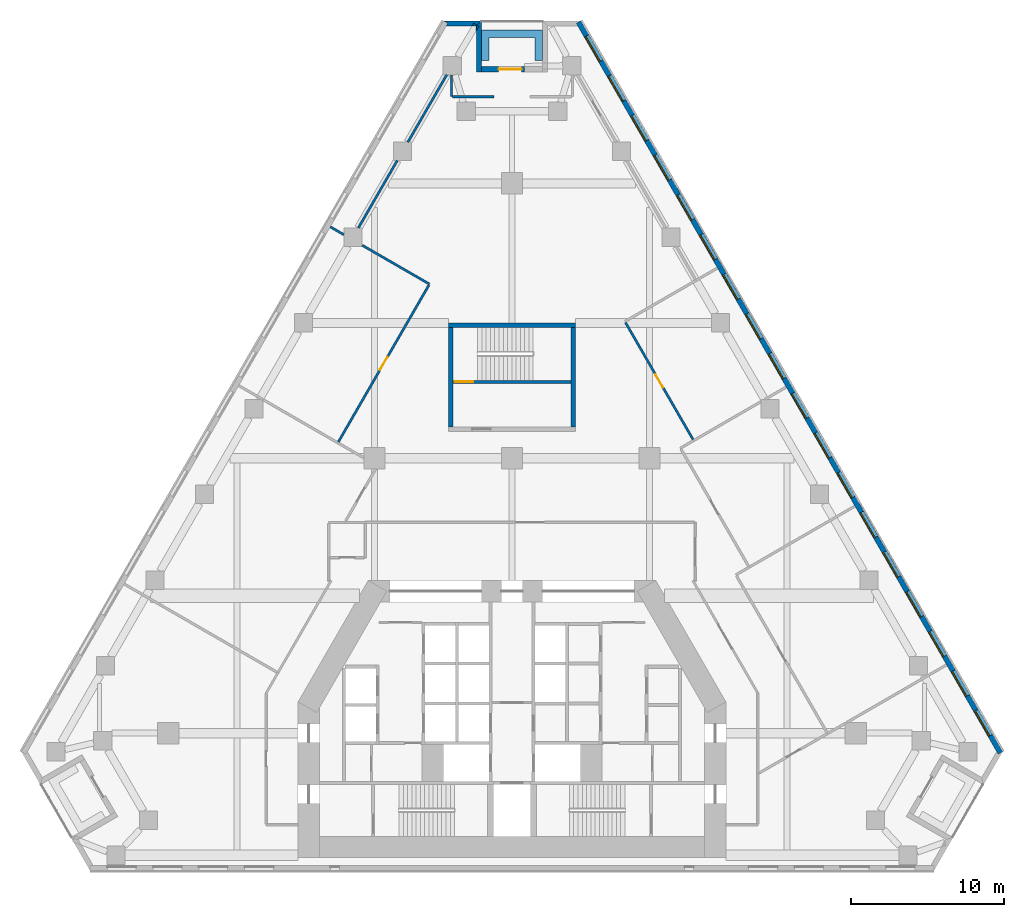
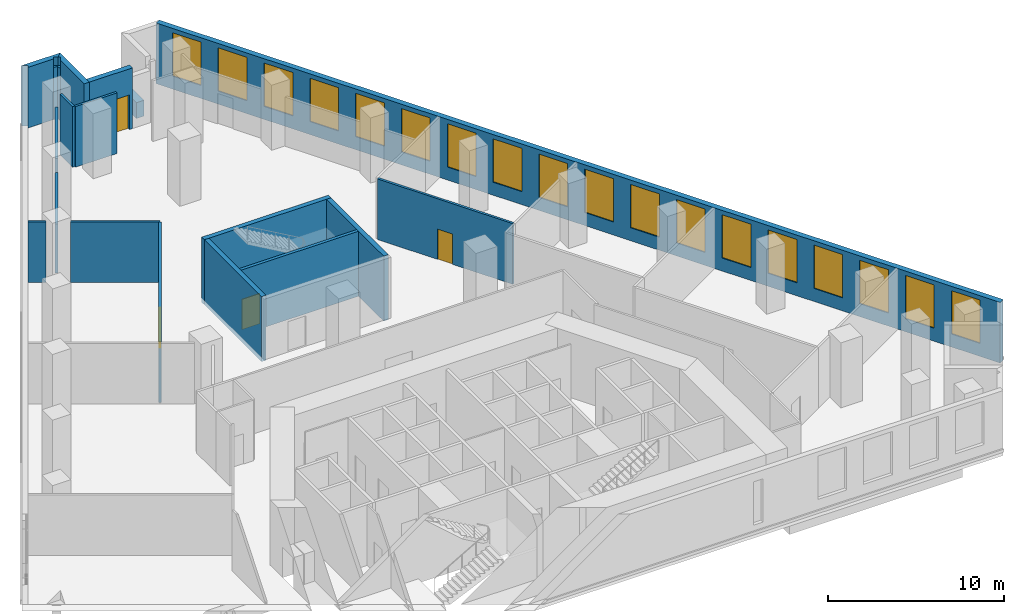
# One storey, part 8 of 10: 19 walls, 18 windows, 4 doors, 22 openings.
"""IFC4 building model written with IfcOpenShell, lengths in metres."""

from ifc_helpers import new_model, si_unit, direction, frame, frame_2d, origin, place, context, subcontext, project, spatial, polyline, rectangle, outline, extrude, material, layer, layer_set, type_object, element, fill, save


model = new_model("IFC4")

# Units and contexts
model_context = context("Model", 3, precision=1e-05, world=origin(), true_north=direction((0.0, 1.0)))
body_context = subcontext(model_context, "Body", "Model", "MODEL_VIEW")
ifc_project = project(units=[si_unit("LENGTHUNIT", "METRE"), si_unit("AREAUNIT", "SQUARE_METRE"), si_unit("VOLUMEUNIT", "CUBIC_METRE"), si_unit("PLANEANGLEUNIT", "RADIAN"), si_unit("MASSUNIT", "GRAM", prefix="KILO")], contexts=[model_context])

# Site, building, storey
site_placement = place(None, origin())
site = spatial("IfcSite", under=ifc_project, at=site_placement, CompositionType="ELEMENT")
building_placement = place(site_placement, origin())
building = spatial("IfcBuilding", under=site, at=building_placement, Name="Fogline Exchange Tower", CompositionType="ELEMENT")
storey_placement = place(building_placement, frame((0.0, 0.0, 38.5)))
storey = spatial("IfcBuildingStorey", under=building, at=storey_placement, Name="L07", CompositionType="ELEMENT", Elevation=38.5)

# Wall, opening, door
ifc_material_1 = material(Name="Concrete C40", Category="concrete")
ifc_layer_1 = layer(ifc_material_1, 0.199951171875)
ifc_layer_set_1 = layer_set([ifc_layer_1], Name="CW20R")
wall_type_1 = type_object("IfcWallType", Name="CW20R", PredefinedType="SOLIDWALL", material=ifc_layer_set_1)
wall_1_placement = place(storey_placement, frame((-3.85009765625, 32.007080078125, -0.300048828125), z_axis=(0.0, 0.0, 1.0), x_axis=(1.0, 0.0, 0.0)))
wall_1 = element("IfcWall", 1, at=wall_1_placement, inside=storey, type_object=wall_type_1, Name="Stair enclosure wall ST3", PredefinedType="SOLIDWALL", context=body_context, shape_type="SweptSolid", body=[
    extrude(rectangle(XDim=7.7001953125, YDim=0.199951171875, at=frame_2d((3.85009765625, 0.0))), origin(), (0.0, 0.0, 1.0), 4.5),
])
opening_1_placement = place(wall_1_placement, frame((0.10009765625, 0.0, 0.300048828125)))
opening_1 = element("IfcOpeningElement", 2, at=opening_1_placement, cuts=wall_1, Name="Opening T02-C024", PredefinedType="OPENING", context=body_context, shape_type="SweptSolid", body=[
    extrude(rectangle(XDim=1.199951171875, YDim=2.10009765625, at=frame_2d((0.60009765625, 1.050048828125))), frame((0.0, 0.10986328125, 0.0), z_axis=(0.0, -1.0, 0.0), x_axis=(1.0, 0.0, 0.0)), (0.0, 0.0, 1.0), 0.219970703125),
])
ifc_material_2 = material(Name="Steel and timber fire door", Category="steel")
door_type_1 = type_object("IfcDoorType", Name="D-ST1", OperationType="SINGLE_SWING_LEFT", PredefinedType="DOOR", material=ifc_material_2)
door_1_placement = place(opening_1_placement, origin())
door_1 = element("IfcDoor", 3, at=door_1_placement, inside=storey, type_object=door_type_1, Name="Stair door ST3", OperationType="SINGLE_SWING_LEFT", OverallHeight=2.10009765625, OverallWidth=1.199951171875, PredefinedType="DOOR", context=body_context, shape_type="SweptSolid", body=[
    extrude(rectangle(XDim=1.199951171875, YDim=2.10009765625, at=frame_2d((0.60009765625, 1.050048828125))), frame((0.0, 0.02490234375, 0.0), z_axis=(0.0, -1.0, 0.0), x_axis=(1.0, 0.0, 0.0)), (0.0, 0.0, 1.0), 0.050048828125),
])
fill(opening_1, door_1)

# Walls
ifc_layer_2 = layer(ifc_material_1, 0.300048828125)
ifc_layer_set_2 = layer_set([ifc_layer_2], Name="CW30")
wall_type_2 = type_object("IfcWallType", Name="CW30", PredefinedType="SOLIDWALL", material=ifc_layer_set_2)
wall_2_placement = place(storey_placement, frame((-4.14990234375, 35.70703125, -0.300048828125), z_axis=(0.0, 0.0, 1.0), x_axis=(1.0, 0.0, 0.0)))
element("IfcWall", 4, at=wall_2_placement, inside=storey, type_object=wall_type_2, Name="Stair enclosure wall ST3", PredefinedType="SOLIDWALL", context=body_context, shape_type="SweptSolid", body=[
    extrude(rectangle(XDim=8.2998046875, YDim=0.300048828125, at=frame_2d((4.14990234375, 0.0))), origin(), (0.0, 0.0, 1.0), 4.5),
])
for number, where, z_axis, x_axis, name in (
    (5, (-4.0, 29.056884765625, -0.300048828125), (0.0, 0.0, 1.0), (0.0, 1.0, 0.0), "Stair enclosure wall ST3"),
    (6, (4.0, 29.056884765625, -0.300048828125), (0.0, 0.0, 1.0), (0.0, 1.0, 0.0), "Stair enclosure wall ST3"),
):
    element("IfcWall", number, at=place(storey_placement, frame(where, z_axis=z_axis, x_axis=x_axis)), inside=storey, type_object=wall_type_2, Name=name, PredefinedType="SOLIDWALL", context=body_context, shape_type="SweptSolid", body=[
        extrude(rectangle(XDim=6.5, YDim=0.300048828125, at=frame_2d((3.25, 0.0))), origin(), (0.0, 0.0, 1.0), 4.5),
    ])

# Wall, openings, windows
ifc_material_3 = material(Name="Brick masonry", Category="masonry")
ifc_layer_3 = layer(ifc_material_3, 0.340087890625)
ifc_layer_set_3 = layer_set([ifc_layer_3], Name="FW1")
wall_type_3 = type_object("IfcWallType", Name="FW1", PredefinedType="SOLIDWALL", material=ifc_layer_set_3)
wall_3_placement = place(storey_placement, frame((31.98046875, 7.709228515625, 0.0), z_axis=(0.0, 0.0, 1.0), x_axis=(-0.500000125387, 0.866025331392, 0.0)))
wall_3 = element("IfcWall", 7, at=wall_3_placement, inside=storey, type_object=wall_type_3, Name="Brick wall L07 E", PredefinedType="SOLIDWALL", context=body_context, shape_type="SweptSolid", body=[
    extrude(rectangle(XDim=55.25537109375, YDim=0.340087890625, at=frame_2d((27.627685546875, 0.0))), origin(), (0.0, 0.0, 1.0), 4.199951171875),
])
opening_2_placement = place(wall_3_placement, frame((1.313720703125, 0.0, 0.89990234375)))
opening_2 = element("IfcOpeningElement", 8, at=opening_2_placement, cuts=wall_3, Name="Opening W2", PredefinedType="OPENING", context=body_context, shape_type="SweptSolid", body=[
    extrude(rectangle(XDim=1.885009765625, YDim=3.0, at=frame_2d((0.9423828125, 1.5))), frame((0.0, 0.18017578125, 0.0), z_axis=(0.0, -1.0, 0.0), x_axis=(1.0, 0.0, 0.0)), (0.0, 0.0, 1.0), 0.360107421875),
])
opening_3_placement = place(wall_3_placement, frame((4.313720703125, 0.0, 0.89990234375)))
opening_3 = element("IfcOpeningElement", 9, at=opening_3_placement, cuts=wall_3, Name="Opening W2", PredefinedType="OPENING", context=body_context, shape_type="SweptSolid", body=[
    extrude(rectangle(XDim=1.885009765625, YDim=3.0, at=frame_2d((0.9423828125, 1.5))), frame((0.0, 0.18017578125, 0.0), z_axis=(0.0, -1.0, 0.0), x_axis=(1.0, 0.0, 0.0)), (0.0, 0.0, 1.0), 0.360107421875),
])
opening_4_placement = place(wall_3_placement, frame((7.313720703125, 0.0, 0.89990234375)))
opening_4 = element("IfcOpeningElement", 10, at=opening_4_placement, cuts=wall_3, Name="Opening W2", PredefinedType="OPENING", context=body_context, shape_type="SweptSolid", body=[
    extrude(rectangle(XDim=1.885009765625, YDim=3.0, at=frame_2d((0.9423828125, 1.5))), frame((0.0, 0.18017578125, 0.0), z_axis=(0.0, -1.0, 0.0), x_axis=(1.0, 0.0, 0.0)), (0.0, 0.0, 1.0), 0.360107421875),
])
opening_5_placement = place(wall_3_placement, frame((10.313720703125, 0.0, 0.89990234375)))
opening_5 = element("IfcOpeningElement", 11, at=opening_5_placement, cuts=wall_3, Name="Opening W2", PredefinedType="OPENING", context=body_context, shape_type="SweptSolid", body=[
    extrude(rectangle(XDim=1.885009765625, YDim=3.0, at=frame_2d((0.9423828125, 1.5))), frame((0.0, 0.18017578125, 0.0), z_axis=(0.0, -1.0, 0.0), x_axis=(1.0, 0.0, 0.0)), (0.0, 0.0, 1.0), 0.360107421875),
])
opening_6_placement = place(wall_3_placement, frame((13.313720703125, 0.0, 0.89990234375)))
opening_6 = element("IfcOpeningElement", 12, at=opening_6_placement, cuts=wall_3, Name="Opening W2", PredefinedType="OPENING", context=body_context, shape_type="SweptSolid", body=[
    extrude(rectangle(XDim=1.885009765625, YDim=3.0, at=frame_2d((0.9423828125, 1.5))), frame((0.0, 0.18017578125, 0.0), z_axis=(0.0, -1.0, 0.0), x_axis=(1.0, 0.0, 0.0)), (0.0, 0.0, 1.0), 0.360107421875),
])
opening_7_placement = place(wall_3_placement, frame((16.313720703125, 0.0, 0.89990234375)))
opening_7 = element("IfcOpeningElement", 13, at=opening_7_placement, cuts=wall_3, Name="Opening W2", PredefinedType="OPENING", context=body_context, shape_type="SweptSolid", body=[
    extrude(rectangle(XDim=1.885009765625, YDim=3.0, at=frame_2d((0.9423828125, 1.5))), frame((0.0, 0.18017578125, 0.0), z_axis=(0.0, -1.0, 0.0), x_axis=(1.0, 0.0, 0.0)), (0.0, 0.0, 1.0), 0.360107421875),
])
opening_8_placement = place(wall_3_placement, frame((19.313720703125, 0.0, 0.89990234375)))
opening_8 = element("IfcOpeningElement", 14, at=opening_8_placement, cuts=wall_3, Name="Opening W2", PredefinedType="OPENING", context=body_context, shape_type="SweptSolid", body=[
    extrude(rectangle(XDim=1.885009765625, YDim=3.0, at=frame_2d((0.9423828125, 1.5))), frame((0.0, 0.18017578125, 0.0), z_axis=(0.0, -1.0, 0.0), x_axis=(1.0, 0.0, 0.0)), (0.0, 0.0, 1.0), 0.360107421875),
])
opening_9_placement = place(wall_3_placement, frame((22.313720703125, 0.0, 0.89990234375)))
opening_9 = element("IfcOpeningElement", 15, at=opening_9_placement, cuts=wall_3, Name="Opening W2", PredefinedType="OPENING", context=body_context, shape_type="SweptSolid", body=[
    extrude(rectangle(XDim=1.885009765625, YDim=3.0, at=frame_2d((0.9423828125, 1.5))), frame((0.0, 0.18017578125, 0.0), z_axis=(0.0, -1.0, 0.0), x_axis=(1.0, 0.0, 0.0)), (0.0, 0.0, 1.0), 0.360107421875),
])
opening_10_placement = place(wall_3_placement, frame((25.313720703125, 0.0, 0.89990234375)))
opening_10 = element("IfcOpeningElement", 16, at=opening_10_placement, cuts=wall_3, Name="Opening W2", PredefinedType="OPENING", context=body_context, shape_type="SweptSolid", body=[
    extrude(rectangle(XDim=1.885009765625, YDim=3.0, at=frame_2d((0.9423828125, 1.5))), frame((0.0, 0.18017578125, 0.0), z_axis=(0.0, -1.0, 0.0), x_axis=(1.0, 0.0, 0.0)), (0.0, 0.0, 1.0), 0.360107421875),
])
opening_11_placement = place(wall_3_placement, frame((28.313720703125, 0.0, 0.89990234375)))
opening_11 = element("IfcOpeningElement", 17, at=opening_11_placement, cuts=wall_3, Name="Opening W2", PredefinedType="OPENING", context=body_context, shape_type="SweptSolid", body=[
    extrude(rectangle(XDim=1.885009765625, YDim=3.0, at=frame_2d((0.9423828125, 1.5))), frame((0.0, 0.18017578125, 0.0), z_axis=(0.0, -1.0, 0.0), x_axis=(1.0, 0.0, 0.0)), (0.0, 0.0, 1.0), 0.360107421875),
])
opening_12_placement = place(wall_3_placement, frame((31.313720703125, 0.0, 0.89990234375)))
opening_12 = element("IfcOpeningElement", 18, at=opening_12_placement, cuts=wall_3, Name="Opening W2", PredefinedType="OPENING", context=body_context, shape_type="SweptSolid", body=[
    extrude(rectangle(XDim=1.885009765625, YDim=3.0, at=frame_2d((0.9423828125, 1.5))), frame((0.0, 0.18017578125, 0.0), z_axis=(0.0, -1.0, 0.0), x_axis=(1.0, 0.0, 0.0)), (0.0, 0.0, 1.0), 0.360107421875),
])
opening_13_placement = place(wall_3_placement, frame((34.313720703125, 0.0, 0.89990234375)))
opening_13 = element("IfcOpeningElement", 19, at=opening_13_placement, cuts=wall_3, Name="Opening W2", PredefinedType="OPENING", context=body_context, shape_type="SweptSolid", body=[
    extrude(rectangle(XDim=1.885009765625, YDim=3.0, at=frame_2d((0.9423828125, 1.5))), frame((0.0, 0.18017578125, 0.0), z_axis=(0.0, -1.0, 0.0), x_axis=(1.0, 0.0, 0.0)), (0.0, 0.0, 1.0), 0.360107421875),
])
opening_14_placement = place(wall_3_placement, frame((37.313720703125, 0.0, 0.89990234375)))
opening_14 = element("IfcOpeningElement", 20, at=opening_14_placement, cuts=wall_3, Name="Opening W2", PredefinedType="OPENING", context=body_context, shape_type="SweptSolid", body=[
    extrude(rectangle(XDim=1.885009765625, YDim=3.0, at=frame_2d((0.9423828125, 1.5))), frame((0.0, 0.18017578125, 0.0), z_axis=(0.0, -1.0, 0.0), x_axis=(1.0, 0.0, 0.0)), (0.0, 0.0, 1.0), 0.360107421875),
])
opening_15_placement = place(wall_3_placement, frame((40.313720703125, 0.0, 0.89990234375)))
opening_15 = element("IfcOpeningElement", 21, at=opening_15_placement, cuts=wall_3, Name="Opening W2", PredefinedType="OPENING", context=body_context, shape_type="SweptSolid", body=[
    extrude(rectangle(XDim=1.885009765625, YDim=3.0, at=frame_2d((0.9423828125, 1.5))), frame((0.0, 0.18017578125, 0.0), z_axis=(0.0, -1.0, 0.0), x_axis=(1.0, 0.0, 0.0)), (0.0, 0.0, 1.0), 0.360107421875),
])
opening_16_placement = place(wall_3_placement, frame((43.313720703125, 0.0, 0.89990234375)))
opening_16 = element("IfcOpeningElement", 22, at=opening_16_placement, cuts=wall_3, Name="Opening W2", PredefinedType="OPENING", context=body_context, shape_type="SweptSolid", body=[
    extrude(rectangle(XDim=1.885009765625, YDim=3.0, at=frame_2d((0.9423828125, 1.5))), frame((0.0, 0.18017578125, 0.0), z_axis=(0.0, -1.0, 0.0), x_axis=(1.0, 0.0, 0.0)), (0.0, 0.0, 1.0), 0.360107421875),
])
opening_17_placement = place(wall_3_placement, frame((46.313720703125, 0.0, 0.89990234375)))
opening_17 = element("IfcOpeningElement", 23, at=opening_17_placement, cuts=wall_3, Name="Opening W2", PredefinedType="OPENING", context=body_context, shape_type="SweptSolid", body=[
    extrude(rectangle(XDim=1.885009765625, YDim=3.0, at=frame_2d((0.9423828125, 1.5))), frame((0.0, 0.18017578125, 0.0), z_axis=(0.0, -1.0, 0.0), x_axis=(1.0, 0.0, 0.0)), (0.0, 0.0, 1.0), 0.360107421875),
])
opening_18_placement = place(wall_3_placement, frame((49.313720703125, 0.0, 0.89990234375)))
opening_18 = element("IfcOpeningElement", 24, at=opening_18_placement, cuts=wall_3, Name="Opening W2", PredefinedType="OPENING", context=body_context, shape_type="SweptSolid", body=[
    extrude(rectangle(XDim=1.885009765625, YDim=3.0, at=frame_2d((0.9423828125, 1.5))), frame((0.0, 0.18017578125, 0.0), z_axis=(0.0, -1.0, 0.0), x_axis=(1.0, 0.0, 0.0)), (0.0, 0.0, 1.0), 0.360107421875),
])
opening_19_placement = place(wall_3_placement, frame((52.313720703125, 0.0, 0.89990234375)))
opening_19 = element("IfcOpeningElement", 25, at=opening_19_placement, cuts=wall_3, Name="Opening W2", PredefinedType="OPENING", context=body_context, shape_type="SweptSolid", body=[
    extrude(rectangle(XDim=1.885009765625, YDim=3.0, at=frame_2d((0.9423828125, 1.5))), frame((0.0, 0.18017578125, 0.0), z_axis=(0.0, -1.0, 0.0), x_axis=(1.0, 0.0, 0.0)), (0.0, 0.0, 1.0), 0.360107421875),
])
ifc_material_4 = material(Name="Aluminium and glass", Category="aluminium")
window_type = type_object("IfcWindowType", Name="W2", PartitioningType="SINGLE_PANEL", PredefinedType="WINDOW", material=ifc_material_4)
window_1_placement = place(opening_2_placement, origin())
window_1 = element("IfcWindow", 26, at=window_1_placement, inside=storey, type_object=window_type, Name="W2 W2", OverallHeight=3.0, OverallWidth=1.885009765625, PartitioningType="SINGLE_PANEL", PredefinedType="WINDOW", context=body_context, shape_type="SweptSolid", body=[
    extrude(rectangle(XDim=1.885009765625, YDim=3.0, at=frame_2d((0.9423828125, 1.5))), frame((0.0, 0.110107421875, 0.0), z_axis=(0.0, -1.0, 0.0), x_axis=(1.0, 0.0, 0.0)), (0.0, 0.0, 1.0), 0.06005859375),
])
fill(opening_2, window_1)
window_2_placement = place(opening_3_placement, origin())
window_2 = element("IfcWindow", 27, at=window_2_placement, inside=storey, type_object=window_type, Name="W2 W2", OverallHeight=3.0, OverallWidth=1.885009765625, PartitioningType="SINGLE_PANEL", PredefinedType="WINDOW", context=body_context, shape_type="SweptSolid", body=[
    extrude(rectangle(XDim=1.885009765625, YDim=3.0, at=frame_2d((0.9423828125, 1.5))), frame((0.0, 0.110107421875, 0.0), z_axis=(0.0, -1.0, 0.0), x_axis=(1.0, 0.0, 0.0)), (0.0, 0.0, 1.0), 0.06005859375),
])
fill(opening_3, window_2)
window_3_placement = place(opening_4_placement, origin())
window_3 = element("IfcWindow", 28, at=window_3_placement, inside=storey, type_object=window_type, Name="W2 W2", OverallHeight=3.0, OverallWidth=1.885009765625, PartitioningType="SINGLE_PANEL", PredefinedType="WINDOW", context=body_context, shape_type="SweptSolid", body=[
    extrude(rectangle(XDim=1.885009765625, YDim=3.0, at=frame_2d((0.9423828125, 1.5))), frame((0.0, 0.110107421875, 0.0), z_axis=(0.0, -1.0, 0.0), x_axis=(1.0, 0.0, 0.0)), (0.0, 0.0, 1.0), 0.06005859375),
])
fill(opening_4, window_3)
window_4_placement = place(opening_5_placement, origin())
window_4 = element("IfcWindow", 29, at=window_4_placement, inside=storey, type_object=window_type, Name="W2 W2", OverallHeight=3.0, OverallWidth=1.885009765625, PartitioningType="SINGLE_PANEL", PredefinedType="WINDOW", context=body_context, shape_type="SweptSolid", body=[
    extrude(rectangle(XDim=1.885009765625, YDim=3.0, at=frame_2d((0.9423828125, 1.5))), frame((0.0, 0.110107421875, 0.0), z_axis=(0.0, -1.0, 0.0), x_axis=(1.0, 0.0, 0.0)), (0.0, 0.0, 1.0), 0.06005859375),
])
fill(opening_5, window_4)
window_5_placement = place(opening_6_placement, origin())
window_5 = element("IfcWindow", 30, at=window_5_placement, inside=storey, type_object=window_type, Name="W2 W2", OverallHeight=3.0, OverallWidth=1.885009765625, PartitioningType="SINGLE_PANEL", PredefinedType="WINDOW", context=body_context, shape_type="SweptSolid", body=[
    extrude(rectangle(XDim=1.885009765625, YDim=3.0, at=frame_2d((0.9423828125, 1.5))), frame((0.0, 0.110107421875, 0.0), z_axis=(0.0, -1.0, 0.0), x_axis=(1.0, 0.0, 0.0)), (0.0, 0.0, 1.0), 0.06005859375),
])
fill(opening_6, window_5)
window_6_placement = place(opening_7_placement, origin())
window_6 = element("IfcWindow", 31, at=window_6_placement, inside=storey, type_object=window_type, Name="W2 W2", OverallHeight=3.0, OverallWidth=1.885009765625, PartitioningType="SINGLE_PANEL", PredefinedType="WINDOW", context=body_context, shape_type="SweptSolid", body=[
    extrude(rectangle(XDim=1.885009765625, YDim=3.0, at=frame_2d((0.9423828125, 1.5))), frame((0.0, 0.110107421875, 0.0), z_axis=(0.0, -1.0, 0.0), x_axis=(1.0, 0.0, 0.0)), (0.0, 0.0, 1.0), 0.06005859375),
])
fill(opening_7, window_6)
window_7_placement = place(opening_8_placement, origin())
window_7 = element("IfcWindow", 32, at=window_7_placement, inside=storey, type_object=window_type, Name="W2 W2", OverallHeight=3.0, OverallWidth=1.885009765625, PartitioningType="SINGLE_PANEL", PredefinedType="WINDOW", context=body_context, shape_type="SweptSolid", body=[
    extrude(rectangle(XDim=1.885009765625, YDim=3.0, at=frame_2d((0.9423828125, 1.5))), frame((0.0, 0.110107421875, 0.0), z_axis=(0.0, -1.0, 0.0), x_axis=(1.0, 0.0, 0.0)), (0.0, 0.0, 1.0), 0.06005859375),
])
fill(opening_8, window_7)
window_8_placement = place(opening_9_placement, origin())
window_8 = element("IfcWindow", 33, at=window_8_placement, inside=storey, type_object=window_type, Name="W2 W2", OverallHeight=3.0, OverallWidth=1.885009765625, PartitioningType="SINGLE_PANEL", PredefinedType="WINDOW", context=body_context, shape_type="SweptSolid", body=[
    extrude(rectangle(XDim=1.885009765625, YDim=3.0, at=frame_2d((0.9423828125, 1.5))), frame((0.0, 0.110107421875, 0.0), z_axis=(0.0, -1.0, 0.0), x_axis=(1.0, 0.0, 0.0)), (0.0, 0.0, 1.0), 0.06005859375),
])
fill(opening_9, window_8)
window_9_placement = place(opening_10_placement, origin())
window_9 = element("IfcWindow", 34, at=window_9_placement, inside=storey, type_object=window_type, Name="W2 W2", OverallHeight=3.0, OverallWidth=1.885009765625, PartitioningType="SINGLE_PANEL", PredefinedType="WINDOW", context=body_context, shape_type="SweptSolid", body=[
    extrude(rectangle(XDim=1.885009765625, YDim=3.0, at=frame_2d((0.9423828125, 1.5))), frame((0.0, 0.110107421875, 0.0), z_axis=(0.0, -1.0, 0.0), x_axis=(1.0, 0.0, 0.0)), (0.0, 0.0, 1.0), 0.06005859375),
])
fill(opening_10, window_9)
window_10_placement = place(opening_11_placement, origin())
window_10 = element("IfcWindow", 35, at=window_10_placement, inside=storey, type_object=window_type, Name="W2 W2", OverallHeight=3.0, OverallWidth=1.885009765625, PartitioningType="SINGLE_PANEL", PredefinedType="WINDOW", context=body_context, shape_type="SweptSolid", body=[
    extrude(rectangle(XDim=1.885009765625, YDim=3.0, at=frame_2d((0.9423828125, 1.5))), frame((0.0, 0.110107421875, 0.0), z_axis=(0.0, -1.0, 0.0), x_axis=(1.0, 0.0, 0.0)), (0.0, 0.0, 1.0), 0.06005859375),
])
fill(opening_11, window_10)
window_11_placement = place(opening_12_placement, origin())
window_11 = element("IfcWindow", 36, at=window_11_placement, inside=storey, type_object=window_type, Name="W2 W2", OverallHeight=3.0, OverallWidth=1.885009765625, PartitioningType="SINGLE_PANEL", PredefinedType="WINDOW", context=body_context, shape_type="SweptSolid", body=[
    extrude(rectangle(XDim=1.885009765625, YDim=3.0, at=frame_2d((0.9423828125, 1.5))), frame((0.0, 0.110107421875, 0.0), z_axis=(0.0, -1.0, 0.0), x_axis=(1.0, 0.0, 0.0)), (0.0, 0.0, 1.0), 0.06005859375),
])
fill(opening_12, window_11)
window_12_placement = place(opening_13_placement, origin())
window_12 = element("IfcWindow", 37, at=window_12_placement, inside=storey, type_object=window_type, Name="W2 W2", OverallHeight=3.0, OverallWidth=1.885009765625, PartitioningType="SINGLE_PANEL", PredefinedType="WINDOW", context=body_context, shape_type="SweptSolid", body=[
    extrude(rectangle(XDim=1.885009765625, YDim=3.0, at=frame_2d((0.9423828125, 1.5))), frame((0.0, 0.110107421875, 0.0), z_axis=(0.0, -1.0, 0.0), x_axis=(1.0, 0.0, 0.0)), (0.0, 0.0, 1.0), 0.06005859375),
])
fill(opening_13, window_12)
window_13_placement = place(opening_14_placement, origin())
window_13 = element("IfcWindow", 38, at=window_13_placement, inside=storey, type_object=window_type, Name="W2 W2", OverallHeight=3.0, OverallWidth=1.885009765625, PartitioningType="SINGLE_PANEL", PredefinedType="WINDOW", context=body_context, shape_type="SweptSolid", body=[
    extrude(rectangle(XDim=1.885009765625, YDim=3.0, at=frame_2d((0.9423828125, 1.5))), frame((0.0, 0.110107421875, 0.0), z_axis=(0.0, -1.0, 0.0), x_axis=(1.0, 0.0, 0.0)), (0.0, 0.0, 1.0), 0.06005859375),
])
fill(opening_14, window_13)
window_14_placement = place(opening_15_placement, origin())
window_14 = element("IfcWindow", 39, at=window_14_placement, inside=storey, type_object=window_type, Name="W2 W2", OverallHeight=3.0, OverallWidth=1.885009765625, PartitioningType="SINGLE_PANEL", PredefinedType="WINDOW", context=body_context, shape_type="SweptSolid", body=[
    extrude(rectangle(XDim=1.885009765625, YDim=3.0, at=frame_2d((0.9423828125, 1.5))), frame((0.0, 0.110107421875, 0.0), z_axis=(0.0, -1.0, 0.0), x_axis=(1.0, 0.0, 0.0)), (0.0, 0.0, 1.0), 0.06005859375),
])
fill(opening_15, window_14)
window_15_placement = place(opening_16_placement, origin())
window_15 = element("IfcWindow", 40, at=window_15_placement, inside=storey, type_object=window_type, Name="W2 W2", OverallHeight=3.0, OverallWidth=1.885009765625, PartitioningType="SINGLE_PANEL", PredefinedType="WINDOW", context=body_context, shape_type="SweptSolid", body=[
    extrude(rectangle(XDim=1.885009765625, YDim=3.0, at=frame_2d((0.9423828125, 1.5))), frame((0.0, 0.110107421875, 0.0), z_axis=(0.0, -1.0, 0.0), x_axis=(1.0, 0.0, 0.0)), (0.0, 0.0, 1.0), 0.06005859375),
])
fill(opening_16, window_15)
window_16_placement = place(opening_17_placement, origin())
window_16 = element("IfcWindow", 41, at=window_16_placement, inside=storey, type_object=window_type, Name="W2 W2", OverallHeight=3.0, OverallWidth=1.885009765625, PartitioningType="SINGLE_PANEL", PredefinedType="WINDOW", context=body_context, shape_type="SweptSolid", body=[
    extrude(rectangle(XDim=1.885009765625, YDim=3.0, at=frame_2d((0.9423828125, 1.5))), frame((0.0, 0.110107421875, 0.0), z_axis=(0.0, -1.0, 0.0), x_axis=(1.0, 0.0, 0.0)), (0.0, 0.0, 1.0), 0.06005859375),
])
fill(opening_17, window_16)
window_17_placement = place(opening_18_placement, origin())
window_17 = element("IfcWindow", 42, at=window_17_placement, inside=storey, type_object=window_type, Name="W2 W2", OverallHeight=3.0, OverallWidth=1.885009765625, PartitioningType="SINGLE_PANEL", PredefinedType="WINDOW", context=body_context, shape_type="SweptSolid", body=[
    extrude(rectangle(XDim=1.885009765625, YDim=3.0, at=frame_2d((0.9423828125, 1.5))), frame((0.0, 0.110107421875, 0.0), z_axis=(0.0, -1.0, 0.0), x_axis=(1.0, 0.0, 0.0)), (0.0, 0.0, 1.0), 0.06005859375),
])
fill(opening_18, window_17)
window_18_placement = place(opening_19_placement, origin())
window_18 = element("IfcWindow", 43, at=window_18_placement, inside=storey, type_object=window_type, Name="W2 W2", OverallHeight=3.0, OverallWidth=1.885009765625, PartitioningType="SINGLE_PANEL", PredefinedType="WINDOW", context=body_context, shape_type="SweptSolid", body=[
    extrude(rectangle(XDim=1.885009765625, YDim=3.0, at=frame_2d((0.9423828125, 1.5))), frame((0.0, 0.110107421875, 0.0), z_axis=(0.0, -1.0, 0.0), x_axis=(1.0, 0.0, 0.0)), (0.0, 0.0, 1.0), 0.06005859375),
])
fill(opening_19, window_18)

# Wall, opening, door
wall_4_placement = place(storey_placement, frame((0.824462890625, 52.4765625, 0.0), z_axis=(0.0, 0.0, 1.0), x_axis=(-1.0, 0.0, 0.0)))
wall_4 = element("IfcWall", 44, at=wall_4_placement, inside=storey, type_object=wall_type_3, Name="Brick wall L07 N-bk", PredefinedType="SOLIDWALL", context=body_context, shape_type="SweptSolid", body=[
    extrude(rectangle(XDim=2.824462890625, YDim=0.340087890625, at=frame_2d((1.412109375, 0.0))), origin(), (0.0, 0.0, 1.0), 4.199951171875),
])
opening_20_placement = place(wall_4_placement, frame((0.199951171875, 0.0, 0.0)))
opening_20 = element("IfcOpeningElement", 45, at=opening_20_placement, cuts=wall_4, Name="Opening T02-E141", PredefinedType="OPENING", context=body_context, shape_type="SweptSolid", body=[
    extrude(rectangle(XDim=1.5, YDim=2.39990234375, at=frame_2d((0.75, 1.199951171875))), frame((0.0, 0.18017578125, 0.0), z_axis=(0.0, -1.0, 0.0), x_axis=(1.0, 0.0, 0.0)), (0.0, 0.0, 1.0), 0.360107421875),
])
door_type_2 = type_object("IfcDoorType", Name="ED4", OperationType="SINGLE_SWING_LEFT", PredefinedType="DOOR", material=ifc_material_4)
door_2_placement = place(opening_20_placement, frame((1.5, 0.0, 0.0), z_axis=(0.0, 0.0, 1.0), x_axis=(-1.0, 0.0, 0.0)))
door_2 = element("IfcDoor", 46, at=door_2_placement, inside=storey, type_object=door_type_2, Name="Balcony door L07 N", OperationType="DOUBLE_DOOR_SINGLE_SWING", OverallHeight=2.39990234375, OverallWidth=1.5, PredefinedType="DOOR", context=body_context, shape_type="SweptSolid", body=[
    extrude(rectangle(XDim=1.5, YDim=2.39990234375, at=frame_2d((0.75, 1.199951171875))), frame((0.0, 0.02490234375, 0.0), z_axis=(0.0, -1.0, 0.0), x_axis=(1.0, 0.0, 0.0)), (0.0, 0.0, 1.0), 0.050048828125),
])
fill(opening_20, door_2)

# Walls
wall_5_placement = place(storey_placement, origin())
element("IfcWall", 47, at=wall_5_placement, inside=storey, type_object=wall_type_3, Name="Brick wall L07 N-s2", PredefinedType="SOLIDWALL", context=body_context, shape_type="SweptSolid", body=[
    extrude(outline(polyline([(-2.340576171875, 55.306884765625), (-2.293701171875, 55.353759765625), (-2.16796875, 55.279296875), (-2.340576171875, 54.988037109375), (-2.340576171875, 55.306884765625)])), origin(), (0.0, 0.0, 1.0), 3.60009765625),
])
wall_6_placement = place(storey_placement, origin())
element("IfcWall", 48, at=wall_6_placement, inside=storey, type_object=wall_type_3, Name="Brick wall L07 N-s2", PredefinedType="SOLIDWALL", context=body_context, shape_type="SweptSolid", body=[
    extrude(outline(polyline([(-1.99951171875, 52.30615234375), (-2.340576171875, 52.30615234375), (-2.340576171875, 54.988037109375), (-2.16796875, 55.279296875), (-2.293701171875, 55.353759765625), (-1.999755859375, 55.647705078125), (-1.99951171875, 55.647705078125), (-1.99951171875, 52.30615234375)])), origin(), (0.0, 0.0, 1.0), 4.199951171875),
])
wall_7_placement = place(storey_placement, origin())
element("IfcWall", 49, at=wall_7_placement, inside=storey, type_object=wall_type_3, Name="Brick wall L07 N-c2", PredefinedType="SOLIDWALL", context=body_context, shape_type="SweptSolid", body=[
    extrude(outline(polyline([(-2.33984375, 55.30615234375), (-2.616943359375, 55.30615234375), (-2.511962890625, 55.483154296875), (-2.292724609375, 55.35302734375), (-2.33984375, 55.30615234375)])), origin(), (0.0, 0.0, 1.0), 3.60009765625),
])
wall_8_placement = place(storey_placement, origin())
element("IfcWall", 50, at=wall_8_placement, inside=storey, type_object=wall_type_3, Name="Brick wall L07 N-c2", PredefinedType="SOLIDWALL", context=body_context, shape_type="SweptSolid", body=[
    extrude(outline(polyline([(-4.206298828125, 55.476318359375), (-4.501220703125, 55.646728515625), (-4.5009765625, 55.647216796875), (-1.9990234375, 55.647216796875), (-1.998779296875, 55.64697265625), (-2.292724609375, 55.35302734375), (-2.511962890625, 55.483154296875), (-2.616943359375, 55.30615234375), (-4.3046875, 55.30615234375), (-4.206298828125, 55.476318359375)])), origin(), (0.0, 0.0, 1.0), 4.199951171875),
])
ifc_material_5 = material(Name="Concrete C30", Category="concrete")
ifc_layer_4 = layer(ifc_material_5, 0.199951171875)
ifc_layer_set_4 = layer_set([ifc_layer_4], Name="PL1")
wall_type_4 = type_object("IfcWallType", Name="PL1", PredefinedType="USERDEFINED", material=ifc_layer_set_4)
wall_9_placement = place(storey_placement, origin())
element("IfcWall", 51, at=wall_9_placement, inside=storey, type_object=wall_type_4, Name="PLANTER balcony L07 N", ObjectType="PLANTER", PredefinedType="USERDEFINED", context=body_context, shape_type="SweptSolid", body=[
    extrude(outline(polyline([(-1.5, 55.046630859375), (-2.0, 55.046630859375), (-2.0, 54.546630859375), (-2.0, 53.046630859375), (-1.5, 53.046630859375), (-1.5, 54.546630859375), (1.5, 54.546630859375), (1.5, 53.046630859375), (2.0, 53.046630859375), (2.0, 54.546630859375), (2.0, 55.046630859375), (1.5, 55.046630859375), (-1.5, 55.046630859375)])), origin(), (0.0, 0.0, 1.0), 1.10009765625),
])

# Wall, opening, door
ifc_material_6 = material(Name="Plasterboard demising partition with mineral wool and acoustic board")
ifc_layer_5 = layer(ifc_material_6, 0.14990234375)
ifc_layer_set_5 = layer_set([ifc_layer_5], Name="PW3")
wall_type_5 = type_object("IfcWallType", Name="PW3", PredefinedType="PARTITIONING", material=ifc_layer_set_5)
wall_10_placement = place(storey_placement, frame((11.855224609375, 28.226806640625, 0.0), z_axis=(0.0, 0.0, 1.0), x_axis=(-0.499984337462, 0.866034446366, 0.0)))
wall_10 = element("IfcWall", 52, at=wall_10_placement, inside=storey, type_object=wall_type_5, Name="wall-L07-W020", PredefinedType="PARTITIONING", context=body_context, shape_type="SweptSolid", body=[
    extrude(rectangle(XDim=8.849853515625, YDim=0.14990234375, at=frame_2d((4.4248046875, 0.0))), origin(), (0.0, 0.0, 1.0), 4.199951171875),
])
opening_21_placement = place(wall_10_placement, frame((3.925048828125, 0.0, 0.0)))
opening_21 = element("IfcOpeningElement", 53, at=opening_21_placement, cuts=wall_10, Name="Opening T02-D007", PredefinedType="OPENING", context=body_context, shape_type="SweptSolid", body=[
    extrude(rectangle(XDim=1.0, YDim=2.10009765625, at=frame_2d((0.5, 1.050048828125))), frame((0.0, 0.0849609375, 0.0), z_axis=(0.0, -1.0, 0.0), x_axis=(1.0, 0.0, 0.0)), (0.0, 0.0, 1.0), 0.169921875),
])
ifc_material_7 = material(Name="Fire-rated timber door leaf with steel frame", Category="steel")
door_type_3 = type_object("IfcDoorType", Name="D3", OperationType="SINGLE_SWING_LEFT", PredefinedType="DOOR", material=ifc_material_7)
door_3_placement = place(opening_21_placement, frame((1.0, 0.0, 0.0), z_axis=(0.0, 0.0, 1.0), x_axis=(-1.0, 0.0, 0.0)))
door_3 = element("IfcDoor", 54, at=door_3_placement, inside=storey, type_object=door_type_3, Name="door-L07-D007", OperationType="SINGLE_SWING_RIGHT", OverallHeight=2.10009765625, OverallWidth=1.0, PredefinedType="DOOR", context=body_context, shape_type="SweptSolid", body=[
    extrude(rectangle(XDim=1.0, YDim=2.10009765625, at=frame_2d((0.5, 1.050048828125))), frame((0.0, 0.02490234375, 0.0), z_axis=(0.0, -1.0, 0.0), x_axis=(1.0, 0.0, 0.0)), (0.0, 0.0, 1.0), 0.050048828125),
])
fill(opening_21, door_3)

# Walls
for number, where, z_axis, x_axis, name in (
    (55, (-10.0595703125, 42.082275390625, 0.0), (0.0, 0.0, 1.0), (0.499991921166, 0.866030068051, 0.0), "wall-L07-W022"),
    (56, (-6.81787109375, 47.697021484375, 0.0), (0.0, 0.0, 1.0), (0.499991921166, 0.866030068051, 0.0), "wall-L07-W023"),
):
    element("IfcWall", number, at=place(storey_placement, frame(where, z_axis=z_axis, x_axis=x_axis)), inside=storey, type_object=wall_type_5, Name=name, PredefinedType="PARTITIONING", context=body_context, shape_type="SweptSolid", body=[
        extrude(rectangle(XDim=5.09765625, YDim=0.14990234375, at=frame_2d((2.548828125, 0.0))), origin(), (0.0, 0.0, 1.0), 3.39990234375),
    ])
wall_11_placement = place(storey_placement, frame((-3.967529296875, 52.11181640625, 0.0), z_axis=(0.0, 0.0, 1.0), x_axis=(0.0, -1.0, 0.0)))
element("IfcWall", 57, at=wall_11_placement, inside=storey, type_object=wall_type_5, Name="wall-L07-W024", PredefinedType="PARTITIONING", context=body_context, shape_type="SweptSolid", body=[
    extrude(rectangle(XDim=1.4326171875, YDim=0.14990234375, at=frame_2d((0.71630859375, 0.0))), origin(), (0.0, 0.0, 1.0), 4.199951171875),
])
wall_12_placement = place(storey_placement, frame((-3.892578125, 50.67919921875, 0.0), z_axis=(0.0, 0.0, 1.0), x_axis=(1.0, 0.0, 0.0)))
element("IfcWall", 58, at=wall_12_placement, inside=storey, type_object=wall_type_5, Name="wall-L07-W025", PredefinedType="PARTITIONING", context=body_context, shape_type="SweptSolid", body=[
    extrude(rectangle(XDim=2.722900390625, YDim=0.14990234375, at=frame_2d((1.361328125, 0.0))), origin(), (0.0, 0.0, 1.0), 4.199951171875),
])

# Wall, opening, door
wall_13_placement = place(storey_placement, frame((-11.36474609375, 28.076416015625, 0.0), z_axis=(0.0, 0.0, 1.0), x_axis=(0.500001258315, 0.866024677295, 0.0)))
wall_13 = element("IfcWall", 59, at=wall_13_placement, inside=storey, type_object=wall_type_5, Name="wall-L07-W031", PredefinedType="PARTITIONING", context=body_context, shape_type="SweptSolid", body=[
    extrude(rectangle(XDim=11.85009765625, YDim=0.14990234375, at=frame_2d((5.925048828125, 0.0))), origin(), (0.0, 0.0, 1.0), 4.199951171875),
])
opening_22_placement = place(wall_13_placement, frame((5.425048828125, 0.0, 0.0)))
opening_22 = element("IfcOpeningElement", 60, at=opening_22_placement, cuts=wall_13, Name="Opening T02-D009", PredefinedType="OPENING", context=body_context, shape_type="SweptSolid", body=[
    extrude(rectangle(XDim=1.0, YDim=2.10009765625, at=frame_2d((0.5, 1.050048828125))), frame((0.0, 0.0849609375, 0.0), z_axis=(0.0, -1.0, 0.0), x_axis=(1.0, 0.0, 0.0)), (0.0, 0.0, 1.0), 0.169921875),
])
door_4_placement = place(opening_22_placement, origin())
door_4 = element("IfcDoor", 61, at=door_4_placement, inside=storey, type_object=door_type_3, Name="door-L07-D009", OperationType="SINGLE_SWING_LEFT", OverallHeight=2.10009765625, OverallWidth=1.0, PredefinedType="DOOR", context=body_context, shape_type="SweptSolid", body=[
    extrude(rectangle(XDim=1.0, YDim=2.10009765625, at=frame_2d((0.5, 1.050048828125))), frame((0.0, 0.02490234375, 0.0), z_axis=(0.0, -1.0, 0.0), x_axis=(1.0, 0.0, 0.0)), (0.0, 0.0, 1.0), 0.050048828125),
])
fill(opening_22, door_4)

# Walls
wall_14_placement = place(storey_placement, frame((-5.40234375, 38.40380859375, 0.0), z_axis=(0.0, 0.0, 1.0), x_axis=(-0.866018476441, 0.500011998318, 0.0)))
element("IfcWall", 62, at=wall_14_placement, inside=storey, type_object=wall_type_5, Name="wall-L07-W032", PredefinedType="PARTITIONING", context=body_context, shape_type="SweptSolid", body=[
    extrude(rectangle(XDim=5.0849609375, YDim=0.14990234375, at=frame_2d((2.54248046875, 0.0))), origin(), (0.0, 0.0, 1.0), 4.199951171875),
])
wall_15_placement = place(storey_placement, frame((-11.005859375, 41.638916015625, 0.0), z_axis=(0.0, 0.0, 1.0), x_axis=(-0.865972333609, 0.500091908976, 0.0)))
element("IfcWall", 63, at=wall_15_placement, inside=storey, type_object=wall_type_5, Name="wall-L07-W039", PredefinedType="PARTITIONING", context=body_context, shape_type="SweptSolid", body=[
    extrude(rectangle(XDim=1.029541015625, YDim=0.14990234375, at=frame_2d((0.5146484375, 0.0))), origin(), (0.0, 0.0, 1.0), 4.199951171875),
])

save(model, "model.ifc")
